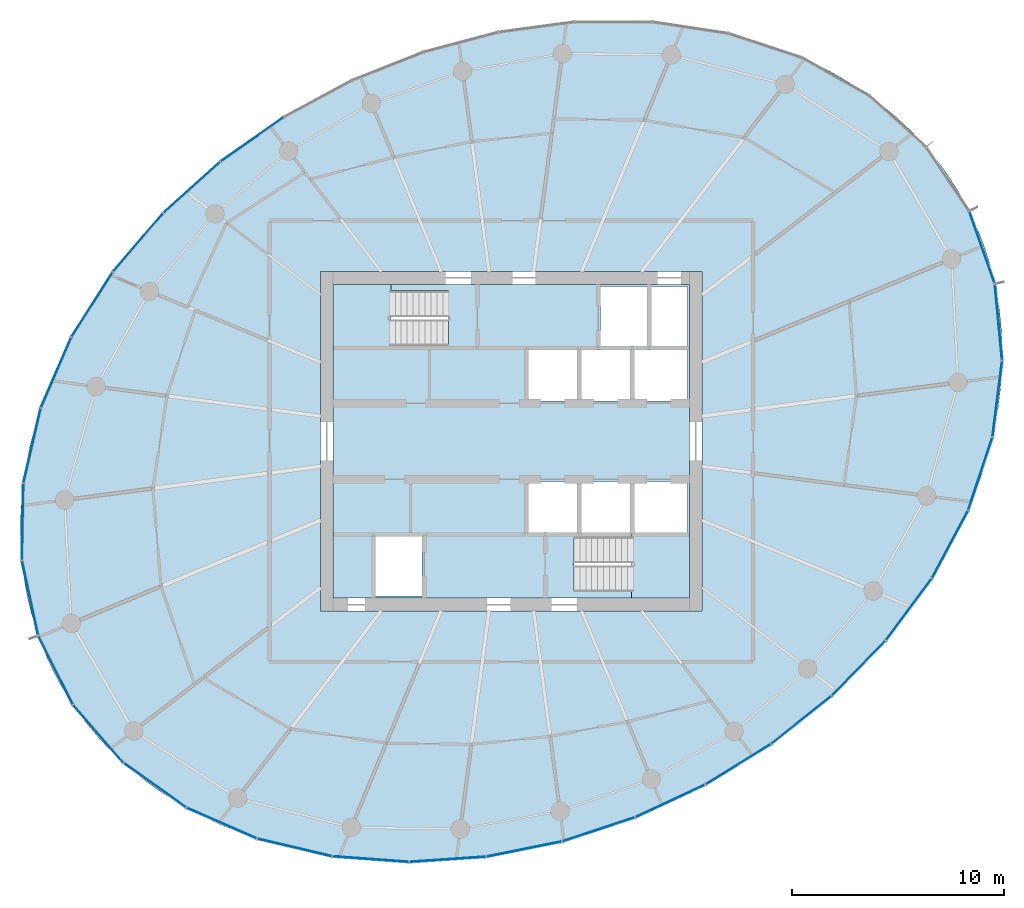
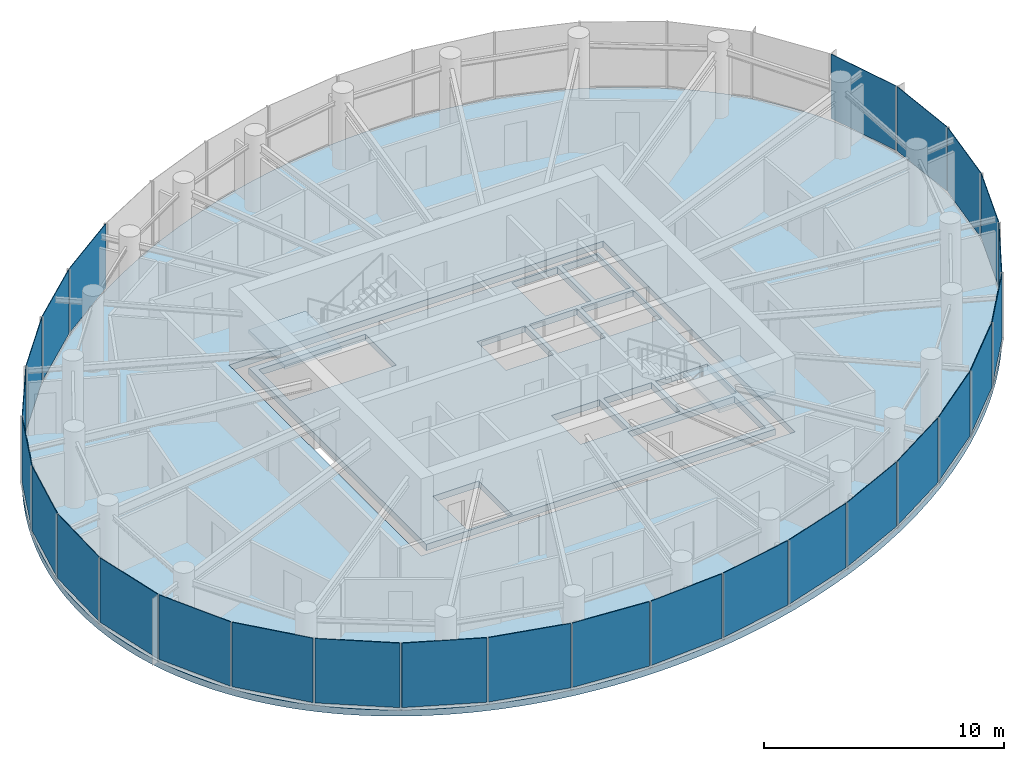
# One storey, part 7 of 14: 27 plates, 4 slabs, 7 elements without a shape of their own.
"""IFC4 building model written with IfcOpenShell, lengths in metres."""

from ifc_helpers import new_model, si_unit, direction, frame, origin, origin_2d, place, context, subcontext, project, spatial, line, indexed_curve, rectangle, outline, extrude, source, transform, mapped, material, layer, layer_set, type_object, element, aggregate, save


model = new_model("IFC4")

# Units and contexts
model_context = context("Model", 3, precision=1e-05, world=origin(), true_north=direction((0.0, 1.0)))
body_context = subcontext(model_context, "Body", "Model", "MODEL_VIEW")
ifc_project = project(units=[si_unit("LENGTHUNIT", "METRE"), si_unit("AREAUNIT", "SQUARE_METRE"), si_unit("VOLUMEUNIT", "CUBIC_METRE"), si_unit("PLANEANGLEUNIT", "RADIAN"), si_unit("MASSUNIT", "GRAM", prefix="KILO")], contexts=[model_context])

# Site, building, storey
site_placement = place(None, origin())
site = spatial("IfcSite", under=ifc_project, at=site_placement, CompositionType="ELEMENT")
building_placement = place(site_placement, origin())
building = spatial("IfcBuilding", under=site, at=building_placement, Name="Spindrift Exchange Tower", CompositionType="ELEMENT")
storey_placement = place(building_placement, frame((0.0, 0.0, 226.699951171875)))
storey = spatial("IfcBuildingStorey", under=building, at=storey_placement, Name="L55", CompositionType="ELEMENT", Elevation=226.699951171875)

# Slabs
ifc_material_1 = material(Name="Concrete 40 MPa", Category="concrete")
ifc_layer_1 = layer(ifc_material_1, 0.320068359375)
ifc_layer_set_1 = layer_set([ifc_layer_1], Name="RC Floor Slab 320 Concrete 40 MPa")
slab_type_1 = type_object("IfcSlabType", Name="RC Floor Slab 320 Concrete 40 MPa", PredefinedType="FLOOR", material=ifc_layer_set_1)
slab_1_placement = place(storey_placement, frame((0.0, 0.0, -0.320068359375)))
element("IfcSlab", 1, at=slab_1_placement, inside=storey, type_object=slab_type_1, Name="Floor slab L55", PredefinedType="FLOOR", context=body_context, shape_type="SweptSolid", body=[
    extrude(outline(indexed_curve([(73.5888671875, 58.8466796875), (73.235107421875, 59.507080078125), (73.04541015625, 59.830078125), (72.64111328125, 60.460693359375), (72.20458984375, 61.069580078125), (71.974853515625, 61.365234375), (71.492919921875, 61.938720703125), (70.982666015625, 62.487548828125), (70.717529296875, 62.752197265625), (70.168212890625, 63.26171875), (69.59521484375, 63.744140625), (69.30029296875, 63.97509765625), (68.69482421875, 64.41650390625), (68.0703125, 64.829833984375), (67.751220703125, 65.02587890625), (67.1005859375, 65.397705078125), (66.434814453125, 65.7412109375), (65.755615234375, 66.057373046875), (65.411376953125, 66.205078125), (64.714599609375, 66.47998046875), (64.3623046875, 66.607421875), (63.65087890625, 66.842529296875), (63.2919921875, 66.9501953125), (62.56884765625, 67.145751953125), (61.83935546875, 67.316162109375), (61.472412109375, 67.391845703125), (61.104248046875, 67.461181640625), (60.364990234375, 67.581787109375), (59.993896484375, 67.63330078125), (59.24951171875, 67.718017578125), (58.502685546875, 67.779541015625), (58.12890625, 67.801513671875), (57.75439453125, 67.818115234375), (57.005615234375, 67.834716796875), (56.25634765625, 67.8291015625), (55.8818359375, 67.818359375), (55.507568359375, 67.80224609375), (54.760009765625, 67.75439453125), (54.38671875, 67.722900390625), (53.6416015625, 67.64453125), (52.528564453125, 67.489501953125), (51.42236328125, 67.291259765625), (50.32470703125, 67.050537109375), (49.23681640625, 66.7685546875), (48.160400390625, 66.4462890625), (47.09619140625, 66.084716796875), (46.046142578125, 65.684814453125), (45.010986328125, 65.247314453125), (44.329833984375, 64.935302734375), (43.656494140625, 64.606689453125), (42.66162109375, 64.08447265625), (42.0087890625, 63.716552734375), (41.365234375, 63.3330078125), (40.41748046875, 62.729248046875), (39.4921875, 62.09130859375), (38.591064453125, 61.419921875), (37.715576171875, 60.71533203125), (36.8671875, 59.978515625), (36.0478515625, 59.20947265625), (35.259033203125, 58.40869140625), (34.75146484375, 57.85791015625), (34.50341796875, 57.5771484375), (34.018798828125, 57.005859375), (33.782470703125, 56.715087890625), (33.55029296875, 56.421142578125), (33.0986328125, 55.823486328125), (32.664794921875, 55.212646484375), (32.45458984375, 54.902587890625), (32.249267578125, 54.58935546875), (31.852783203125, 53.95361328125), (31.4765625, 53.3056640625), (31.296142578125, 52.977294921875), (30.95166015625, 52.31201171875), (30.78759765625, 51.97509765625), (30.476806640625, 51.29345703125), (30.33056640625, 50.94873046875), (30.055908203125, 50.251708984375), (29.927978515625, 49.899658203125), (29.806640625, 49.545166015625), (29.583740234375, 48.829833984375), (29.388671875, 48.106689453125), (29.301513671875, 47.7421875), (29.149658203125, 47.008544921875), (29.028076171875, 46.269287109375), (28.93798828125, 45.525634765625), (28.90478515625, 45.152587890625), (28.86376953125, 44.404541015625), (28.856201171875, 43.6552734375), (28.865478515625, 43.281005859375), (28.91064453125, 42.533203125), (28.99169921875, 41.788330078125), (29.045654296875, 41.41748046875), (29.181396484375, 40.680908203125), (29.353759765625, 39.951904296875), (29.563232421875, 39.232666015625), (29.681884765625, 38.877197265625), (29.8095703125, 38.525146484375), (30.09228515625, 37.831298828125), (30.4111328125, 37.1533203125), (30.764892578125, 36.492919921875), (30.95458984375, 36.169921875), (31.35888671875, 35.539306640625), (31.79541015625, 34.930419921875), (32.025146484375, 34.634765625), (32.507080078125, 34.061279296875), (33.017333984375, 33.512451171875), (33.282470703125, 33.247802734375), (33.831787109375, 32.73828125), (34.40478515625, 32.255859375), (34.69970703125, 32.02490234375), (35.30517578125, 31.58349609375), (35.9296875, 31.170166015625), (36.248779296875, 30.97412109375), (36.8994140625, 30.602294921875), (37.565185546875, 30.2587890625), (38.244384765625, 29.942626953125), (38.588623046875, 29.794921875), (39.285400390625, 29.52001953125), (39.6376953125, 29.392578125), (40.34912109375, 29.157470703125), (40.7080078125, 29.0498046875), (41.43115234375, 28.854248046875), (41.795166015625, 28.765869140625), (42.527587890625, 28.608154296875), (42.895751953125, 28.538818359375), (43.635009765625, 28.418212890625), (44.006103515625, 28.36669921875), (44.75048828125, 28.281982421875), (45.497314453125, 28.220458984375), (45.87109375, 28.198486328125), (46.24560546875, 28.181884765625), (46.994384765625, 28.165283203125), (47.74365234375, 28.1708984375), (48.1181640625, 28.181640625), (48.492431640625, 28.19775390625), (49.239990234375, 28.24560546875), (49.61328125, 28.277099609375), (50.3583984375, 28.35546875), (51.471435546875, 28.510498046875), (52.57763671875, 28.708740234375), (53.67529296875, 28.949462890625), (54.76318359375, 29.2314453125), (55.839599609375, 29.5537109375), (56.90380859375, 29.915283203125), (57.953857421875, 30.315185546875), (58.989013671875, 30.752685546875), (59.670166015625, 31.064697265625), (60.343505859375, 31.393310546875), (61.33837890625, 31.91552734375), (61.9912109375, 32.283447265625), (62.634765625, 32.6669921875), (63.58251953125, 33.270751953125), (64.5078125, 33.90869140625), (65.408935546875, 34.580078125), (66.284423828125, 35.28466796875), (67.1328125, 36.021484375), (67.9521484375, 36.79052734375), (68.740966796875, 37.59130859375), (69.24853515625, 38.14208984375), (69.49658203125, 38.4228515625), (69.981201171875, 38.994140625), (70.217529296875, 39.284912109375), (70.44970703125, 39.578857421875), (70.9013671875, 40.176513671875), (71.335205078125, 40.787353515625), (71.54541015625, 41.097412109375), (71.750732421875, 41.41064453125), (72.147216796875, 42.04638671875), (72.5234375, 42.6943359375), (72.703857421875, 43.022705078125), (73.04833984375, 43.68798828125), (73.21240234375, 44.02490234375), (73.523193359375, 44.70654296875), (73.66943359375, 45.05126953125), (73.944091796875, 45.748291015625), (74.072021484375, 46.100341796875), (74.193359375, 46.454833984375), (74.416259765625, 47.170166015625), (74.611328125, 47.893310546875), (74.698486328125, 48.2578125), (74.850341796875, 48.991455078125), (74.971923828125, 49.730712890625), (75.06201171875, 50.474365234375), (75.09521484375, 50.847412109375), (75.13623046875, 51.595458984375), (75.143798828125, 52.3447265625), (75.134521484375, 52.718994140625), (75.08935546875, 53.466796875), (75.00830078125, 54.211669921875), (74.954345703125, 54.58251953125), (74.818603515625, 55.319091796875), (74.646240234375, 56.048095703125), (74.436767578125, 56.767333984375), (74.318115234375, 57.122802734375), (74.1904296875, 57.474853515625), (73.90771484375, 58.168701171875)], segments=[line(1, 2, 3, 4, 5, 6, 7, 8, 9, 10, 11, 12, 13, 14, 15, 16, 17, 18, 19, 20, 21, 22, 23, 24, 25, 26, 27, 28, 29, 30, 31, 32, 33, 34, 35, 36, 37, 38, 39, 40, 41, 42, 43, 44, 45, 46, 47, 48, 49, 50, 51, 52, 53, 54, 55, 56, 57, 58, 59, 60, 61, 62, 63, 64, 65, 66, 67, 68, 69, 70, 71, 72, 73, 74, 75, 76, 77, 78, 79, 80, 81, 82, 83, 84, 85, 86, 87, 88, 89, 90, 91, 92, 93, 94, 95, 96, 97, 98, 99, 100, 101, 102, 103, 104, 105, 106, 107, 108, 109, 110, 111, 112, 113, 114, 115, 116, 117, 118, 119, 120, 121, 122, 123, 124, 125, 126, 127, 128, 129, 130, 131, 132, 133, 134, 135, 136, 137, 138, 139, 140, 141, 142, 143, 144, 145, 146, 147, 148, 149, 150, 151, 152, 153, 154, 155, 156, 157, 158, 159, 160, 161, 162, 163, 164, 165, 166, 167, 168, 169, 170, 171, 172, 173, 174, 175, 176, 177, 178, 179, 180, 181, 182, 183, 184, 185, 186, 187, 188, 189, 190, 191, 192, 193, 194, 195, 196, 1)], self_intersect=False), holes=[indexed_curve([(43.0, 40.0), (61.0, 40.0), (61.0, 56.0), (43.0, 56.0)], segments=[line(1, 2, 3, 4, 1)], self_intersect=False)]), origin(), (0.0, 0.0, 1.0), 0.320068359375),
])
ifc_material_2 = material(Name="Concrete 50 MPa", Category="concrete")
ifc_layer_2 = layer(ifc_material_2, 0.320068359375)
ifc_layer_set_2 = layer_set([ifc_layer_2], Name="SL-CORE-FLOOR-320")
slab_type_2 = type_object("IfcSlabType", Name="SL-CORE-FLOOR-320", PredefinedType="FLOOR", material=ifc_layer_set_2)
slab_2_placement = place(storey_placement, frame((0.0, 0.0, -0.320068359375)))
element("IfcSlab", 2, at=slab_2_placement, inside=storey, type_object=slab_type_2, Name="L55 Core floor slab", PredefinedType="FLOOR", context=body_context, shape_type="SweptSolid", body=[
    extrude(outline(indexed_curve([(43.60009765625, 40.60009765625), (43.60009765625, 55.39990234375), (60.39990234375, 55.39990234375), (60.39990234375, 40.60009765625)], segments=[line(1, 2, 3, 4, 1)], self_intersect=False), holes=[indexed_curve([(45.60009765625, 43.5), (45.60009765625, 40.699951171875), (47.800048828125, 40.699951171875), (47.800048828125, 43.5)], segments=[line(1, 2, 3, 4, 1)], self_intersect=False), indexed_curve([(52.800048828125, 46.10009765625), (52.800048828125, 43.699951171875), (55.10009765625, 43.699951171875), (55.10009765625, 46.10009765625)], segments=[line(1, 2, 3, 4, 1)], self_intersect=False), indexed_curve([(55.300048828125, 46.10009765625), (55.300048828125, 43.699951171875), (57.60009765625, 43.699951171875), (57.60009765625, 46.10009765625)], segments=[line(1, 2, 3, 4, 1)], self_intersect=False), indexed_curve([(55.10009765625, 52.300048828125), (52.800048828125, 52.300048828125), (52.800048828125, 49.89990234375), (55.10009765625, 49.89990234375)], segments=[line(1, 2, 3, 4, 1)], self_intersect=False), indexed_curve([(57.60009765625, 52.300048828125), (55.300048828125, 52.300048828125), (55.300048828125, 49.89990234375), (57.60009765625, 49.89990234375)], segments=[line(1, 2, 3, 4, 1)], self_intersect=False), indexed_curve([(43.906005859375, 52.506103515625), (49.0439453125, 52.506103515625), (49.0439453125, 55.093994140625), (43.906005859375, 55.093994140625)], segments=[line(1, 2, 3, 4, 1)], self_intersect=False), indexed_curve([(60.093994140625, 40.906005859375), (60.093994140625, 43.493896484375), (54.9560546875, 43.493896484375), (54.9560546875, 40.906005859375)], segments=[line(1, 2, 3, 4, 1)], self_intersect=False), indexed_curve([(60.300048828125, 46.10009765625), (57.800048828125, 46.10009765625), (57.800048828125, 43.699951171875), (60.300048828125, 43.699951171875)], segments=[line(1, 2, 3, 4, 1)], self_intersect=False), indexed_curve([(57.800048828125, 52.300048828125), (57.800048828125, 49.89990234375), (60.300048828125, 49.89990234375), (60.300048828125, 52.300048828125)], segments=[line(1, 2, 3, 4, 1)], self_intersect=False), indexed_curve([(58.39990234375, 55.300048828125), (56.199951171875, 55.300048828125), (56.199951171875, 52.5), (58.39990234375, 52.5)], segments=[line(1, 2, 3, 4, 1)], self_intersect=False), indexed_curve([(60.300048828125, 55.300048828125), (58.60009765625, 55.300048828125), (58.60009765625, 52.5), (60.300048828125, 52.5)], segments=[line(1, 2, 3, 4, 1)], self_intersect=False)]), origin(), (0.0, 0.0, 1.0), 0.320068359375),
])

# Stair, slab
stair_type = type_object("IfcStairType", Name="ST-1250-R177", PredefinedType="HALF_TURN_STAIR", material=ifc_material_2)
stair_1_placement = place(storey_placement, origin())
stair_1 = element("IfcStair", 3, at=stair_1_placement, inside=storey, type_object=stair_type, Name="L55 Exit stair ST1", PredefinedType="HALF_TURN_STAIR")
ifc_layer_3 = layer(ifc_material_2, 0.199951171875)
ifc_layer_set_3 = layer_set([ifc_layer_3], Name="SL-LANDING")
slab_type_3 = type_object("IfcSlabType", Name="SL-LANDING", PredefinedType="LANDING", material=ifc_layer_set_3)
slab_3_placement = place(storey_placement, frame((0.0, 0.0, 1.75)))
slab_3 = element("IfcSlab", 4, at=slab_3_placement, type_object=slab_type_3, Name="ST1 landing 1", PredefinedType="LANDING", context=body_context, shape_type="SweptSolid", body=[
    extrude(outline(indexed_curve([(46.330078125, 52.39990234375), (43.60009765625, 52.39990234375), (43.60009765625, 55.39990234375), (46.330078125, 55.39990234375)], segments=[line(1, 2, 3, 4, 1)], self_intersect=False)), origin(), (0.0, 0.0, 1.0), 0.199951171875),
])
aggregate(stair_1, [slab_3])

stair_2_placement = place(storey_placement, origin())
stair_2 = element("IfcStair", 5, at=stair_2_placement, inside=storey, type_object=stair_type, Name="L55 Exit stair ST2", PredefinedType="HALF_TURN_STAIR")
slab_4_placement = place(storey_placement, frame((0.0, 0.0, 1.75)))
slab_4 = element("IfcSlab", 6, at=slab_4_placement, type_object=slab_type_3, Name="ST2 landing 1", PredefinedType="LANDING", context=body_context, shape_type="SweptSolid", body=[
    extrude(outline(indexed_curve([(57.669921875, 43.60009765625), (60.39990234375, 43.60009765625), (60.39990234375, 40.60009765625), (57.669921875, 40.60009765625)], segments=[line(1, 2, 3, 4, 1)], self_intersect=False)), origin(), (0.0, 0.0, 1.0), 0.199951171875),
])
aggregate(stair_2, [slab_4])

# Curtain wall, plates
ifc_material_3 = material(Name="Fritted laminated glass with bronze frame", Category="glass")
ifc_layer_4 = layer(ifc_material_3, 0.169921875)
ifc_layer_set_4 = layer_set([ifc_layer_4], Name="ZONE 4 BRONZE FRITTED WALL")
curtain_wall_type = type_object("IfcCurtainWallType", Name="ZONE 4 BRONZE FRITTED WALL", PredefinedType="NOTDEFINED", material=ifc_layer_set_4)
curtain_wall_1_placement = place(storey_placement, origin())
curtain_wall_1 = element("IfcCurtainWall", 7, at=curtain_wall_1_placement, inside=storey, type_object=curtain_wall_type, Name="L55 Zone 4 Bronze Fritted Wall run 6", PredefinedType="NOTDEFINED")
ifc_material_4 = material(Name="Bronze fritted laminated glass, open frit", Category="glass")
ifc_layer_5 = layer(ifc_material_4, 0.030029296875)
ifc_layer_set_5 = layer_set([ifc_layer_5], Name="ZONE 4 BRONZE FRITTED WALL PANEL OPEN FRIT 600")
plate_type_1 = type_object("IfcPlateType", Name="ZONE 4 BRONZE FRITTED WALL PANEL OPEN FRIT 600", PredefinedType="CURTAIN_PANEL", material=ifc_layer_set_5)
shared_shape_1 = source(origin(), body_context, "Body", "SweptSolid", [
    extrude(rectangle(XDim=3.5703125, YDim=0.030029296875, at=origin_2d()), origin(), (0.0, 0.0, 1.0), 3.27490234375),
])
plate_1_placement = place(storey_placement, frame((74.193115234375, 57.13232421875, 0.125), z_axis=(0.0, 0.0, 1.0), x_axis=(-0.332472252051, 0.94311303756, 0.0)))
plate_1 = element("IfcPlate", 8, at=plate_1_placement, type_object=plate_type_1, Name="L55 panel CW-4.37", PredefinedType="CURTAIN_PANEL", context=body_context, shape_type="MappedRepresentation", body=[
    mapped(shared_shape_1, transform((0.0, 0.0, 0.0), scale=1.0)),
])
ifc_layer_6 = layer(ifc_material_4, 0.030029296875)
ifc_layer_set_6 = layer_set([ifc_layer_6], Name="ZONE 4 BRONZE FRITTED WALL PANEL OPEN FRIT 480")
plate_type_2 = type_object("IfcPlateType", Name="ZONE 4 BRONZE FRITTED WALL PANEL OPEN FRIT 480", PredefinedType="CURTAIN_PANEL", material=ifc_layer_set_6)
shared_shape_2 = source(origin(), body_context, "Body", "SweptSolid", [
    extrude(rectangle(XDim=3.573486328125, YDim=0.030029296875, at=origin_2d()), origin(), (0.0, 0.0, 1.0), 3.27490234375),
])
plate_2_placement = place(storey_placement, frame((74.912109375, 49.993408203125, 0.125), z_axis=(0.0, 0.0, 1.0), x_axis=(0.12620935738, 0.992003628073, 0.0)))
plate_2 = element("IfcPlate", 9, at=plate_2_placement, type_object=plate_type_2, Name="L55 panel CW-4.35", PredefinedType="CURTAIN_PANEL", context=body_context, shape_type="MappedRepresentation", body=[
    mapped(shared_shape_2, transform((0.0, 0.0, 0.0), scale=1.0)),
])
shared_shape_3 = source(origin(), body_context, "Body", "SweptSolid", [
    extrude(rectangle(XDim=3.574951171875, YDim=0.030029296875, at=origin_2d()), origin(), (0.0, 0.0, 1.0), 3.27490234375),
])
plate_3_placement = place(storey_placement, frame((74.10888671875, 46.46142578125, 0.125), z_axis=(0.0, 0.0, 1.0), x_axis=(0.315196885544, 0.949026302767, 0.0)))
plate_3 = element("IfcPlate", 10, at=plate_3_placement, type_object=plate_type_1, Name="L55 panel CW-4.34", PredefinedType="CURTAIN_PANEL", context=body_context, shape_type="MappedRepresentation", body=[
    mapped(shared_shape_3, transform((0.0, 0.0, 0.0), scale=1.0)),
])
shared_shape_4 = source(origin(), body_context, "Body", "SweptSolid", [
    extrude(rectangle(XDim=3.576904296875, YDim=0.030029296875, at=origin_2d()), origin(), (0.0, 0.0, 1.0), 3.27490234375),
])
plate_4_placement = place(storey_placement, frame((70.735595703125, 40.060302734375, 0.125), z_axis=(0.0, 0.0, 1.0), x_axis=(0.59663394232, 0.802513513202, 0.0)))
plate_4 = element("IfcPlate", 11, at=plate_4_placement, type_object=plate_type_1, Name="L55 panel CW-4.32", PredefinedType="CURTAIN_PANEL", context=body_context, shape_type="MappedRepresentation", body=[
    mapped(shared_shape_4, transform((0.0, 0.0, 0.0), scale=1.0)),
])

# Curtain wall, plate
curtain_wall_2_placement = place(storey_placement, origin())
curtain_wall_2 = element("IfcCurtainWall", 12, at=curtain_wall_2_placement, inside=storey, type_object=curtain_wall_type, Name="L55 Zone 4 Bronze Fritted Wall run 2", PredefinedType="NOTDEFINED")
ifc_layer_7 = layer(ifc_material_4, 0.030029296875)
ifc_layer_set_7 = layer_set([ifc_layer_7], Name="ZONE 4 BRONZE FRITTED WALL PANEL OPEN FRIT 360")
plate_type_3 = type_object("IfcPlateType", Name="ZONE 4 BRONZE FRITTED WALL PANEL OPEN FRIT 360", PredefinedType="CURTAIN_PANEL", material=ifc_layer_set_7)
shared_shape_5 = source(origin(), body_context, "Body", "SweptSolid", [
    extrude(rectangle(XDim=3.577392578125, YDim=0.030029296875, at=origin_2d()), origin(), (0.0, 0.0, 1.0), 3.27490234375),
])
plate_5_placement = place(storey_placement, frame((36.935302734375, 59.96337890625, 0.125), z_axis=(0.0, 0.0, 1.0), x_axis=(-0.742975462965, -0.669318654628, 0.0)))
plate_5 = element("IfcPlate", 13, at=plate_5_placement, type_object=plate_type_3, Name="L55 panel CW-4.12", PredefinedType="CURTAIN_PANEL", context=body_context, shape_type="MappedRepresentation", body=[
    mapped(shared_shape_5, transform((0.0, 0.0, 0.0), scale=1.0)),
])

curtain_wall_3_placement = place(storey_placement, origin())
curtain_wall_3 = element("IfcCurtainWall", 14, at=curtain_wall_3_placement, inside=storey, type_object=curtain_wall_type, Name="L55 Zone 4 Bronze Fritted Wall run 5", PredefinedType="NOTDEFINED")
shared_shape_6 = source(origin(), body_context, "Body", "SweptSolid", [
    extrude(rectangle(XDim=3.577880859375, YDim=0.030029296875, at=origin_2d()), origin(), (0.0, 0.0, 1.0), 3.27490234375),
])
plate_6_placement = place(storey_placement, frame((62.70166015625, 32.7705078125, 0.125), z_axis=(0.0, 0.0, 1.0), x_axis=(0.850982565741, 0.525193938278, 0.0)))
plate_6 = element("IfcPlate", 15, at=plate_6_placement, type_object=plate_type_1, Name="L55 panel CW-4.29", PredefinedType="CURTAIN_PANEL", context=body_context, shape_type="MappedRepresentation", body=[
    mapped(shared_shape_6, transform((0.0, 0.0, 0.0), scale=1.0)),
])

# Plate
shared_shape_7 = source(origin(), body_context, "Body", "SweptSolid", [
    extrude(rectangle(XDim=3.577880859375, YDim=0.030029296875, at=origin_2d()), origin(), (0.0, 0.0, 1.0), 3.27490234375),
])
plate_7_placement = place(storey_placement, frame((39.779296875, 62.228515625, 0.125), z_axis=(0.0, 0.0, 1.0), x_axis=(-0.818578016061, -0.574395361768, 0.0)))
plate_7 = element("IfcPlate", 16, at=plate_7_placement, type_object=plate_type_3, Name="L55 panel CW-4.11", PredefinedType="CURTAIN_PANEL", context=body_context, shape_type="MappedRepresentation", body=[
    mapped(shared_shape_7, transform((0.0, 0.0, 0.0), scale=1.0)),
])

aggregate(curtain_wall_2, [plate_7, plate_5])

plate_8_placement = place(storey_placement, frame((59.501220703125, 31.0439453125, 0.125), z_axis=(0.0, 0.0, 1.0), x_axis=(0.906220730071, 0.422804905825, 0.0)))
plate_8 = element("IfcPlate", 17, at=plate_8_placement, type_object=plate_type_3, Name="L55 panel CW-4.28", PredefinedType="CURTAIN_PANEL", context=body_context, shape_type="MappedRepresentation", body=[
    mapped(shared_shape_7, transform((0.0, 0.0, 0.0), scale=1.0)),
])

# Curtain wall, plate
curtain_wall_4_placement = place(storey_placement, origin())
curtain_wall_4 = element("IfcCurtainWall", 18, at=curtain_wall_4_placement, inside=storey, type_object=curtain_wall_type, Name="L55 Zone 4 Bronze Fritted Wall run 3", PredefinedType="NOTDEFINED")
shared_shape_8 = source(origin(), body_context, "Body", "SweptSolid", [
    extrude(rectangle(XDim=3.5771484375, YDim=0.030029296875, at=origin_2d()), origin(), (0.0, 0.0, 1.0), 3.27490234375),
])
plate_9_placement = place(storey_placement, frame((34.3974609375, 57.361083984375, 0.125), z_axis=(0.0, 0.0, 1.0), x_axis=(-0.650472025068, -0.759530213095, 0.0)))
plate_9 = element("IfcPlate", 19, at=plate_9_placement, type_object=plate_type_3, Name="L55 panel CW-4.13", PredefinedType="CURTAIN_PANEL", context=body_context, shape_type="MappedRepresentation", body=[
    mapped(shared_shape_8, transform((0.0, 0.0, 0.0), scale=1.0)),
])

# Plate
plate_10_placement = place(storey_placement, frame((49.003662109375, 28.28955078125, 0.125), z_axis=(0.0, 0.0, 1.0), x_axis=(0.997650921162, 0.06850284304, 0.0)))
plate_10 = element("IfcPlate", 20, at=plate_10_placement, type_object=plate_type_3, Name="L55 panel CW-4.25", PredefinedType="CURTAIN_PANEL", context=body_context, shape_type="MappedRepresentation", body=[
    mapped(shared_shape_8, transform((0.0, 0.0, 0.0), scale=1.0)),
])

shared_shape_9 = source(origin(), body_context, "Body", "SweptSolid", [
    extrude(rectangle(XDim=3.576416015625, YDim=0.030029296875, at=origin_2d()), origin(), (0.0, 0.0, 1.0), 3.27490234375),
])
plate_11_placement = place(storey_placement, frame((32.235595703125, 54.44189453125, 0.125), z_axis=(0.0, 0.0, 1.0), x_axis=(-0.536887385391, -0.843653919216, 0.0)))
plate_11 = element("IfcPlate", 21, at=plate_11_placement, type_object=plate_type_2, Name="L55 panel CW-4.14", PredefinedType="CURTAIN_PANEL", context=body_context, shape_type="MappedRepresentation", body=[
    mapped(shared_shape_9, transform((0.0, 0.0, 0.0), scale=1.0)),
])

# Curtain wall, plate
curtain_wall_5_placement = place(storey_placement, origin())
curtain_wall_5 = element("IfcCurtainWall", 22, at=curtain_wall_5_placement, inside=storey, type_object=curtain_wall_type, Name="L55 Zone 4 Bronze Fritted Wall run 4", PredefinedType="NOTDEFINED")
plate_12_placement = place(storey_placement, frame((45.370849609375, 28.29736328125, 0.125), z_axis=(0.0, 0.0, 1.0), x_axis=(0.997344559267, -0.072827399384, 0.0)))
plate_12 = element("IfcPlate", 23, at=plate_12_placement, type_object=plate_type_2, Name="L55 panel CW-4.24", PredefinedType="CURTAIN_PANEL", context=body_context, shape_type="MappedRepresentation", body=[
    mapped(shared_shape_9, transform((0.0, 0.0, 0.0), scale=1.0)),
])

# Plate
shared_shape_10 = source(origin(), body_context, "Body", "SweptSolid", [
    extrude(rectangle(XDim=3.575439453125, YDim=0.030029296875, at=origin_2d()), origin(), (0.0, 0.0, 1.0), 3.27490234375),
])
plate_13_placement = place(storey_placement, frame((30.535400390625, 51.235107421875, 0.125), z_axis=(0.0, 0.0, 1.0), x_axis=(-0.396894793666, -0.917864109093, 0.0)))
plate_13 = element("IfcPlate", 24, at=plate_13_placement, type_object=plate_type_2, Name="L55 panel CW-4.15", PredefinedType="CURTAIN_PANEL", context=body_context, shape_type="MappedRepresentation", body=[
    mapped(shared_shape_10, transform((0.0, 0.0, 0.0), scale=1.0)),
])

shared_shape_11 = source(origin(), body_context, "Body", "SweptSolid", [
    extrude(rectangle(XDim=3.57421875, YDim=0.030029296875, at=origin_2d()), origin(), (0.0, 0.0, 1.0), 3.27490234375),
])
plate_14_placement = place(storey_placement, frame((29.403564453125, 47.79150390625, 0.125), z_axis=(0.0, 0.0, 1.0), x_axis=(-0.225020778227, -0.974353965131, 0.0)))
plate_14 = element("IfcPlate", 25, at=plate_14_placement, type_object=plate_type_2, Name="L55 panel CW-4.16", PredefinedType="CURTAIN_PANEL", context=body_context, shape_type="MappedRepresentation", body=[
    mapped(shared_shape_11, transform((0.0, 0.0, 0.0), scale=1.0)),
])

shared_shape_12 = source(origin(), body_context, "Body", "SweptSolid", [
    extrude(rectangle(XDim=3.572509765625, YDim=0.030029296875, at=origin_2d()), origin(), (0.0, 0.0, 1.0), 3.27490234375),
])
plate_15_placement = place(storey_placement, frame((28.959228515625, 44.2001953125, 0.125), z_axis=(0.0, 0.0, 1.0), x_axis=(-0.01921663748, -0.999815343373, 0.0)))
plate_15 = element("IfcPlate", 26, at=plate_15_placement, type_object=plate_type_2, Name="L55 panel CW-4.17", PredefinedType="CURTAIN_PANEL", context=body_context, shape_type="MappedRepresentation", body=[
    mapped(shared_shape_12, transform((0.0, 0.0, 0.0), scale=1.0)),
])

plate_16_placement = place(storey_placement, frame((35.197998046875, 31.7822265625, 0.125), z_axis=(0.0, 0.0, 1.0), x_axis=(0.813632802966, -0.581379103459, 0.0)))
plate_16 = element("IfcPlate", 27, at=plate_16_placement, type_object=plate_type_2, Name="L55 panel CW-4.21", PredefinedType="CURTAIN_PANEL", context=body_context, shape_type="MappedRepresentation", body=[
    mapped(shared_shape_12, transform((0.0, 0.0, 0.0), scale=1.0)),
])

shared_shape_13 = source(origin(), body_context, "Body", "SweptSolid", [
    extrude(rectangle(XDim=3.57080078125, YDim=0.030029296875, at=origin_2d()), origin(), (0.0, 0.0, 1.0), 3.27490234375),
])
plate_17_placement = place(storey_placement, frame((29.311279296875, 40.605712890625, 0.125), z_axis=(0.0, 0.0, 1.0), x_axis=(0.212996280821, -0.977053010003, 0.0)))
plate_17 = element("IfcPlate", 28, at=plate_17_placement, type_object=plate_type_3, Name="L55 panel CW-4.18", PredefinedType="CURTAIN_PANEL", context=body_context, shape_type="MappedRepresentation", body=[
    mapped(shared_shape_13, transform((0.0, 0.0, 0.0), scale=1.0)),
])

aggregate(curtain_wall_4, [plate_9, plate_11, plate_13, plate_14, plate_15, plate_17])

plate_18_placement = place(storey_placement, frame((32.5244140625, 34.21044921875, 0.125), z_axis=(0.0, 0.0, 1.0), x_axis=(0.656762137672, -0.754097801694, 0.0)))
plate_18 = element("IfcPlate", 29, at=plate_18_placement, type_object=plate_type_3, Name="L55 panel CW-4.20", PredefinedType="CURTAIN_PANEL", context=body_context, shape_type="MappedRepresentation", body=[
    mapped(shared_shape_13, transform((0.0, 0.0, 0.0), scale=1.0)),
])

shared_shape_14 = source(origin(), body_context, "Body", "SweptSolid", [
    extrude(rectangle(XDim=3.570068359375, YDim=0.030029296875, at=origin_2d()), origin(), (0.0, 0.0, 1.0), 3.27490234375),
])
plate_19_placement = place(storey_placement, frame((30.514404296875, 37.205322265625, 0.125), z_axis=(0.0, 0.0, 1.0), x_axis=(0.448929149052, -0.893567355677, 0.0)))
plate_19 = element("IfcPlate", 30, at=plate_19_placement, type_object=plate_type_1, Name="L55 panel CW-4.19", PredefinedType="CURTAIN_PANEL", context=body_context, shape_type="MappedRepresentation", body=[
    mapped(shared_shape_14, transform((0.0, 0.0, 0.0), scale=1.0)),
])

shared_shape_15 = source(origin(), body_context, "Body", "SweptSolid", [
    extrude(rectangle(XDim=3.57421875, YDim=0.030029296875, at=origin_2d()), origin(), (0.0, 0.0, 1.0), 3.27490234375),
])
plate_20_placement = place(storey_placement, frame((38.3447265625, 29.9951171875, 0.125), z_axis=(0.0, 0.0, 1.0), x_axis=(0.916055713366, -0.401051031677, 0.0)))
plate_20 = element("IfcPlate", 31, at=plate_20_placement, type_object=plate_type_3, Name="L55 panel CW-4.22", PredefinedType="CURTAIN_PANEL", context=body_context, shape_type="MappedRepresentation", body=[
    mapped(shared_shape_15, transform((0.0, 0.0, 0.0), scale=1.0)),
])

shared_shape_16 = source(origin(), body_context, "Body", "SweptSolid", [
    extrude(rectangle(XDim=3.575439453125, YDim=0.030029296875, at=origin_2d()), origin(), (0.0, 0.0, 1.0), 3.27490234375),
])
plate_21_placement = place(storey_placement, frame((41.783203125, 28.84765625, 0.125), z_axis=(0.0, 0.0, 1.0), x_axis=(0.973321623378, -0.229445020571, 0.0)))
plate_21 = element("IfcPlate", 32, at=plate_21_placement, type_object=plate_type_3, Name="L55 panel CW-4.23", PredefinedType="CURTAIN_PANEL", context=body_context, shape_type="MappedRepresentation", body=[
    mapped(shared_shape_16, transform((0.0, 0.0, 0.0), scale=1.0)),
])

aggregate(curtain_wall_5, [plate_19, plate_18, plate_16, plate_20, plate_21, plate_12])

shared_shape_17 = source(origin(), body_context, "Body", "SweptSolid", [
    extrude(rectangle(XDim=3.57763671875, YDim=0.030029296875, at=origin_2d()), origin(), (0.0, 0.0, 1.0), 3.27490234375),
])
plate_22_placement = place(storey_placement, frame((52.606201171875, 28.7724609375, 0.125), z_axis=(0.0, 0.0, 1.0), x_axis=(0.980485515845, 0.196591335563, 0.0)))
plate_22 = element("IfcPlate", 33, at=plate_22_placement, type_object=plate_type_2, Name="L55 panel CW-4.26", PredefinedType="CURTAIN_PANEL", context=body_context, shape_type="MappedRepresentation", body=[
    mapped(shared_shape_17, transform((0.0, 0.0, 0.0), scale=1.0)),
])

plate_23_placement = place(storey_placement, frame((56.12109375, 29.7021484375, 0.125), z_axis=(0.0, 0.0, 1.0), x_axis=(0.949459997176, 0.313888059286, 0.0)))
plate_23 = element("IfcPlate", 34, at=plate_23_placement, type_object=plate_type_2, Name="L55 panel CW-4.27", PredefinedType="CURTAIN_PANEL", context=body_context, shape_type="MappedRepresentation", body=[
    mapped(shared_shape_17, transform((0.0, 0.0, 0.0), scale=1.0)),
])

plate_24_placement = place(storey_placement, frame((65.67724609375, 34.86083984375, 0.125), z_axis=(0.0, 0.0, 1.0), x_axis=(0.782686378169, 0.622416286281, 0.0)))
plate_24 = element("IfcPlate", 35, at=plate_24_placement, type_object=plate_type_2, Name="L55 panel CW-4.30", PredefinedType="CURTAIN_PANEL", context=body_context, shape_type="MappedRepresentation", body=[
    mapped(shared_shape_17, transform((0.0, 0.0, 0.0), scale=1.0)),
])

aggregate(curtain_wall_3, [plate_10, plate_22, plate_23, plate_8, plate_6, plate_24])

shared_shape_18 = source(origin(), body_context, "Body", "SweptSolid", [
    extrude(rectangle(XDim=3.577392578125, YDim=0.030029296875, at=origin_2d()), origin(), (0.0, 0.0, 1.0), 3.27490234375),
])
plate_25_placement = place(storey_placement, frame((68.375732421875, 37.296630859375, 0.125), z_axis=(0.0, 0.0, 1.0), x_axis=(0.699072027863, 0.715051256806, 0.0)))
plate_25 = element("IfcPlate", 36, at=plate_25_placement, type_object=plate_type_1, Name="L55 panel CW-4.31", PredefinedType="CURTAIN_PANEL", context=body_context, shape_type="MappedRepresentation", body=[
    mapped(shared_shape_18, transform((0.0, 0.0, 0.0), scale=1.0)),
])

shared_shape_19 = source(origin(), body_context, "Body", "SweptSolid", [
    extrude(rectangle(XDim=3.575927734375, YDim=0.030029296875, at=origin_2d()), origin(), (0.0, 0.0, 1.0), 3.27490234375),
])
plate_26_placement = place(storey_placement, frame((72.6787109375, 43.1279296875, 0.125), z_axis=(0.0, 0.0, 1.0), x_axis=(0.470557636271, 0.882369259974, 0.0)))
plate_26 = element("IfcPlate", 37, at=plate_26_placement, type_object=plate_type_1, Name="L55 panel CW-4.33", PredefinedType="CURTAIN_PANEL", context=body_context, shape_type="MappedRepresentation", body=[
    mapped(shared_shape_19, transform((0.0, 0.0, 0.0), scale=1.0)),
])

shared_shape_20 = source(origin(), body_context, "Body", "SweptSolid", [
    extrude(rectangle(XDim=3.571533203125, YDim=0.030029296875, at=origin_2d()), origin(), (0.0, 0.0, 1.0), 3.27490234375),
])
plate_27_placement = place(storey_placement, frame((74.969482421875, 53.608154296875, 0.125), z_axis=(0.0, 0.0, 1.0), x_axis=(-0.094650425366, 0.995510571003, 0.0)))
plate_27 = element("IfcPlate", 38, at=plate_27_placement, type_object=plate_type_3, Name="L55 panel CW-4.36", PredefinedType="CURTAIN_PANEL", context=body_context, shape_type="MappedRepresentation", body=[
    mapped(shared_shape_20, transform((0.0, 0.0, 0.0), scale=1.0)),
])

aggregate(curtain_wall_1, [plate_25, plate_4, plate_26, plate_3, plate_2, plate_27, plate_1])

save(model, "model.ifc")
